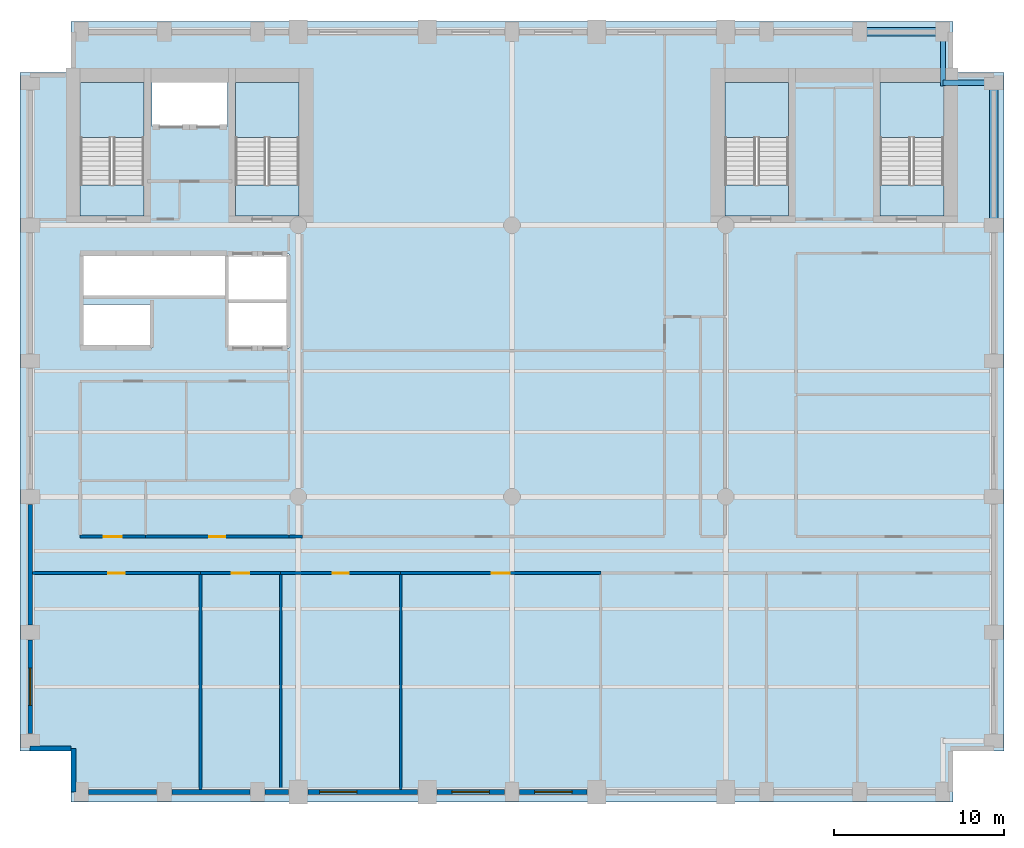
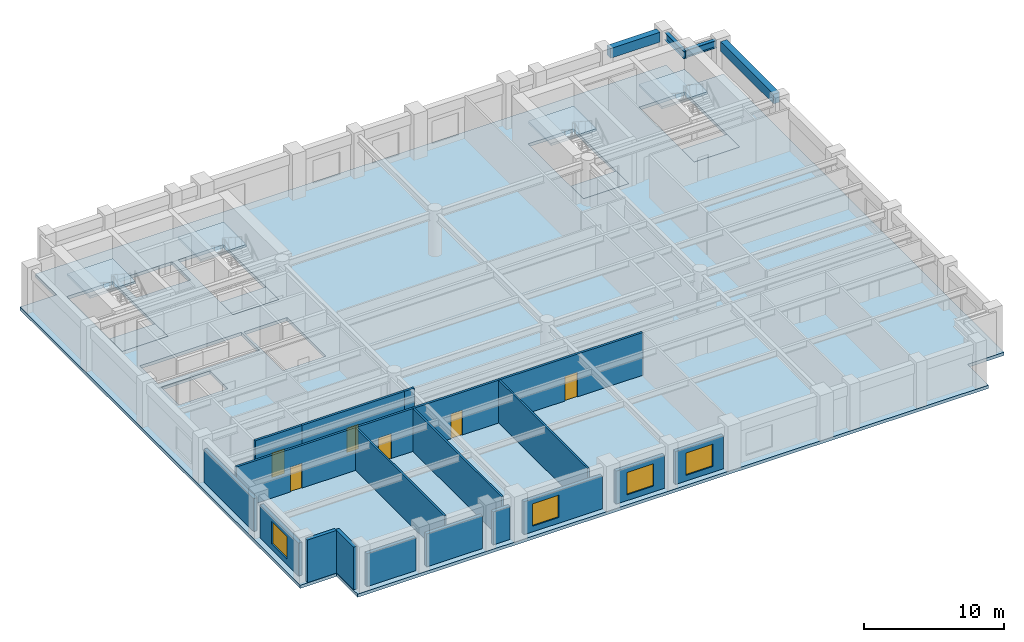
# One storey, part 2 of 8: 20 walls, 9 slabs, 6 doors, 4 beams, 4 windows, 10 openings, 4 elements without a shape of their own.
"""IFC4 building model written with IfcOpenShell, lengths in metres."""

from ifc_helpers import new_model, si_unit, direction, frame, frame_2d, origin, origin_2d, place, context, subcontext, project, spatial, polyline, rectangle, i_section, outline, extrude, material, layer, layer_set, material_profile, profile_set, type_object, element, fill, aggregate, save


model = new_model("IFC4")

# Units and contexts
model_context = context("Model", 3, precision=1e-05, world=origin(), true_north=direction((0.0, 1.0)))
body_context = subcontext(model_context, "Body", "Model", "MODEL_VIEW")
ifc_project = project(units=[si_unit("LENGTHUNIT", "METRE"), si_unit("AREAUNIT", "SQUARE_METRE"), si_unit("VOLUMEUNIT", "CUBIC_METRE"), si_unit("PLANEANGLEUNIT", "RADIAN"), si_unit("MASSUNIT", "GRAM", prefix="KILO")], contexts=[model_context])

# Site, building, storey
site_placement = place(None, origin())
site = spatial("IfcSite", under=ifc_project, at=site_placement, CompositionType="ELEMENT")
building_placement = place(site_placement, origin())
building = spatial("IfcBuilding", under=site, at=building_placement, Name="Sulina Concourse Tower", CompositionType="ELEMENT")
storey_placement = place(building_placement, frame((0.0, 0.0, 124.60009765625)))
storey = spatial("IfcBuildingStorey", under=building, at=storey_placement, Name="L30", CompositionType="ELEMENT", Elevation=124.60009765625)

# Beams
ifc_material_1 = material(Name="Steel S355", Category="steel")
ifc_material_profile_1 = material_profile(ifc_material_1, i_section(OverallWidth=0.300048828125, OverallDepth=0.64990234375, WebThickness=0.01611328125, FlangeThickness=0.031005859375, at=origin_2d()), Name="HE 650 B")
ifc_profile_set_1 = profile_set([ifc_material_profile_1], Name="Steel S355")
beam_type_1 = type_object("IfcBeamType", Name="Floor Primary Girder Zone 2 HE650B", PredefinedType="BEAM", material=ifc_profile_set_1)
beam_1_placement = place(storey_placement, frame((54.39990234375, 42.39990234375, 3.39990234375), z_axis=(1.0, 0.0, 0.0), x_axis=(0.0, 1.0, 0.0)))
element("IfcBeam", 1, at=beam_1_placement, inside=storey, type_object=beam_type_1, Name="TIE-NE-L30", PredefinedType="BEAM", context=body_context, shape_type="SweptSolid", body=[
    extrude(i_section(OverallWidth=0.300048828125, OverallDepth=0.64990234375, WebThickness=0.01611328125, FlangeThickness=0.031005859375, at=origin_2d()), origin(), (0.0, 0.0, 1.0), 2.59521484375),
])
beam_2_placement = place(storey_placement, frame((54.39990234375, 42.199951171875, 3.39990234375), z_axis=(0.0, 1.0, 0.0), x_axis=(-1.0, 0.0, 0.0)))
element("IfcBeam", 2, at=beam_2_placement, inside=storey, type_object=beam_type_1, Name="TIE-NEN-L30", PredefinedType="BEAM", context=body_context, shape_type="SweptSolid", body=[
    extrude(i_section(OverallWidth=0.300048828125, OverallDepth=0.64990234375, WebThickness=0.01611328125, FlangeThickness=0.031005859375, at=origin_2d()), origin(), (0.0, 0.0, 1.0), 2.795166015625),
])
ifc_material_2 = material(Name="Precast concrete C50/60", Category="concrete")
ifc_material_profile_2 = material_profile(ifc_material_2, rectangle(XDim=0.5, YDim=0.85009765625, at=origin_2d()), Name="RC 500x850")
ifc_profile_set_2 = profile_set([ifc_material_profile_2], Name="Precast concrete C50/60")
beam_type_2 = type_object("IfcBeamType", Name="Lower Precast Spandrel Edge Beam 500x850", PredefinedType="BEAM", material=ifc_profile_set_2)
beam_3_placement = place(storey_placement, frame((49.905029296875, 45.39990234375, 3.2998046875), z_axis=(1.0, 0.0, 0.0), x_axis=(0.0, 1.0, 0.0)))
element("IfcBeam", 3, at=beam_3_placement, inside=storey, type_object=beam_type_2, Name="SP-N10-L30", PredefinedType="BEAM", context=body_context, shape_type="SweptSolid", body=[
    extrude(rectangle(XDim=0.5, YDim=0.85009765625, at=origin_2d()), origin(), (0.0, 0.0, 1.0), 4.090087890625),
])
beam_4_placement = place(storey_placement, frame((57.39990234375, 34.405029296875, 3.2998046875), z_axis=(0.0, 1.0, 0.0), x_axis=(-1.0, 0.0, 0.0)))
element("IfcBeam", 4, at=beam_4_placement, inside=storey, type_object=beam_type_2, Name="SP-E5-L30", PredefinedType="BEAM", context=body_context, shape_type="SweptSolid", body=[
    extrude(rectangle(XDim=0.5, YDim=0.85009765625, at=origin_2d()), origin(), (0.0, 0.0, 1.0), 7.590087890625),
])

# Slabs
ifc_material_3 = material(Name="Concrete C50/60", Category="concrete")
ifc_layer_1 = layer(ifc_material_3, 0.27490234375)
ifc_layer_set_1 = layer_set([ifc_layer_1], Name="Concrete C50/60")
slab_type_1 = type_object("IfcSlabType", Name="Mid-Rise Composite Floor Slab 275mm", PredefinedType="FLOOR", material=ifc_layer_set_1)
slab_1_placement = place(storey_placement, frame((0.0, 0.0, -0.275146484375)))
element("IfcSlab", 5, at=slab_1_placement, inside=storey, type_object=slab_type_1, Name="L30 structural floor slab", PredefinedType="FLOOR", context=body_context, shape_type="SweptSolid", body=[
    extrude(outline(polyline([(3.0, 0.0), (55.0, 0.0), (55.0, 3.0), (58.0, 3.0), (58.0, 43.0), (55.0, 43.0), (55.0, 46.0), (3.0, 46.0), (3.0, 43.0), (0.0, 43.0), (0.0, 3.0), (3.0, 3.0), (3.0, 0.0)]), holes=[polyline([(7.31005859375, 34.550048828125), (7.31005859375, 42.429931640625), (3.550048828125, 42.429931640625), (3.550048828125, 34.550048828125), (7.31005859375, 34.550048828125)]), polyline([(16.449951171875, 34.550048828125), (16.449951171875, 42.429931640625), (12.68994140625, 42.429931640625), (12.68994140625, 34.550048828125), (16.449951171875, 34.550048828125)]), polyline([(45.31005859375, 34.550048828125), (45.31005859375, 42.429931640625), (41.550048828125, 42.429931640625), (41.550048828125, 34.550048828125), (45.31005859375, 34.550048828125)]), polyline([(54.449951171875, 34.550048828125), (54.449951171875, 42.429931640625), (50.68994140625, 42.429931640625), (50.68994140625, 34.550048828125), (54.449951171875, 34.550048828125)]), polyline([(7.780029296875, 39.830078125), (12.219970703125, 39.830078125), (12.219970703125, 42.449951171875), (7.780029296875, 42.449951171875), (7.780029296875, 39.830078125)]), polyline([(3.739990234375, 26.780029296875), (7.77001953125, 26.780029296875), (7.77001953125, 29.320068359375), (3.739990234375, 29.320068359375), (3.739990234375, 26.780029296875)]), polyline([(3.739990234375, 29.780029296875), (12.10009765625, 29.780029296875), (12.10009765625, 32.3701171875), (3.739990234375, 32.3701171875), (3.739990234375, 29.780029296875)]), polyline([(12.280029296875, 26.780029296875), (15.85009765625, 26.780029296875), (15.85009765625, 32.320068359375), (12.280029296875, 32.320068359375), (12.280029296875, 26.780029296875)])]), origin(), (0.0, 0.0, 1.0), 0.275146484375),
])
ifc_material_4 = material(Name="Concrete C50/60", Category="concrete")
ifc_layer_2 = layer(ifc_material_4, 0.199951171875)
ifc_layer_set_2 = layer_set([ifc_layer_2], Name="Concrete C50/60")
slab_type_2 = type_object("IfcSlabType", Name="Primary Core Stair Landing Slab 200mm", PredefinedType="LANDING", material=ifc_layer_set_2)
slab_2_placement = place(storey_placement, frame((0.0, 0.0, -0.2001953125)))
element("IfcSlab", 6, at=slab_2_placement, inside=storey, type_object=slab_type_2, Name="L30 ST-1 floor landing slab", PredefinedType="LANDING", context=body_context, shape_type="SweptSolid", body=[
    extrude(outline(polyline([(7.31005859375, 34.550048828125), (7.31005859375, 36.375), (3.550048828125, 36.375), (3.550048828125, 34.550048828125), (7.31005859375, 34.550048828125)])), origin(), (0.0, 0.0, 1.0), 0.2001953125),
])
slab_3_placement = place(storey_placement, frame((0.0, 0.0, -0.2001953125)))
element("IfcSlab", 7, at=slab_3_placement, inside=storey, type_object=slab_type_2, Name="L30 ST-2 floor landing slab", PredefinedType="LANDING", context=body_context, shape_type="SweptSolid", body=[
    extrude(outline(polyline([(16.449951171875, 34.550048828125), (16.449951171875, 36.375), (12.68994140625, 36.375), (12.68994140625, 34.550048828125), (16.449951171875, 34.550048828125)])), origin(), (0.0, 0.0, 1.0), 0.2001953125),
])
slab_4_placement = place(storey_placement, frame((0.0, 0.0, -0.2001953125)))
element("IfcSlab", 8, at=slab_4_placement, inside=storey, type_object=slab_type_2, Name="L30 ST-3 floor landing slab", PredefinedType="LANDING", context=body_context, shape_type="SweptSolid", body=[
    extrude(outline(polyline([(45.31005859375, 34.550048828125), (45.31005859375, 36.375), (41.550048828125, 36.375), (41.550048828125, 34.550048828125), (45.31005859375, 34.550048828125)])), origin(), (0.0, 0.0, 1.0), 0.2001953125),
])
slab_5_placement = place(storey_placement, frame((0.0, 0.0, -0.2001953125)))
element("IfcSlab", 9, at=slab_5_placement, inside=storey, type_object=slab_type_2, Name="L30 ST-4 floor landing slab", PredefinedType="LANDING", context=body_context, shape_type="SweptSolid", body=[
    extrude(outline(polyline([(54.449951171875, 34.550048828125), (54.449951171875, 36.375), (50.68994140625, 36.375), (50.68994140625, 34.550048828125), (54.449951171875, 34.550048828125)])), origin(), (0.0, 0.0, 1.0), 0.2001953125),
])

# Stair, slab
ifc_material_5 = material(Name="Concrete C50/60", Category="concrete")
stair_type_1 = type_object("IfcStairType", Name="Primary Core Dog-Leg Exit Stair 1800mm", PredefinedType="HALF_TURN_STAIR", material=ifc_material_5)
stair_1_placement = place(storey_placement, origin())
stair_1 = element("IfcStair", 10, at=stair_1_placement, inside=storey, type_object=stair_type_1, Name="L30 ST-1", PredefinedType="HALF_TURN_STAIR")
slab_6_placement = place(storey_placement, frame((0.0, 0.0, 1.7998046875)))
slab_6 = element("IfcSlab", 11, at=slab_6_placement, type_object=slab_type_2, Name="ST-1 landing 1", PredefinedType="LANDING", context=body_context, shape_type="SweptSolid", body=[
    extrude(outline(polyline([(7.304931640625, 39.175048828125), (7.304931640625, 42.425048828125), (3.554931640625, 42.425048828125), (3.554931640625, 39.175048828125), (7.304931640625, 39.175048828125)])), origin(), (0.0, 0.0, 1.0), 0.2001953125),
])
aggregate(stair_1, [slab_6])

stair_2_placement = place(storey_placement, origin())
stair_2 = element("IfcStair", 12, at=stair_2_placement, inside=storey, type_object=stair_type_1, Name="L30 ST-2", PredefinedType="HALF_TURN_STAIR")
slab_7_placement = place(storey_placement, frame((0.0, 0.0, 1.7998046875)))
slab_7 = element("IfcSlab", 13, at=slab_7_placement, type_object=slab_type_2, Name="ST-2 landing 1", PredefinedType="LANDING", context=body_context, shape_type="SweptSolid", body=[
    extrude(outline(polyline([(16.445068359375, 39.175048828125), (16.445068359375, 42.425048828125), (12.695068359375, 42.425048828125), (12.695068359375, 39.175048828125), (16.445068359375, 39.175048828125)])), origin(), (0.0, 0.0, 1.0), 0.2001953125),
])
aggregate(stair_2, [slab_7])

ifc_material_6 = material(Name="Concrete C50/60", Category="concrete")
stair_type_2 = type_object("IfcStairType", Name="Portal & Podium Core Exit Stair 1820mm", PredefinedType="HALF_TURN_STAIR", material=ifc_material_6)
stair_3_placement = place(storey_placement, origin())
stair_3 = element("IfcStair", 14, at=stair_3_placement, inside=storey, type_object=stair_type_2, Name="L30 ST-3", PredefinedType="HALF_TURN_STAIR")
slab_8_placement = place(storey_placement, frame((0.0, 0.0, 1.7998046875)))
slab_8 = element("IfcSlab", 15, at=slab_8_placement, type_object=slab_type_2, Name="ST-3 landing 1", PredefinedType="LANDING", context=body_context, shape_type="SweptSolid", body=[
    extrude(outline(polyline([(45.304931640625, 39.175048828125), (45.304931640625, 42.425048828125), (41.554931640625, 42.425048828125), (41.554931640625, 39.175048828125), (45.304931640625, 39.175048828125)])), origin(), (0.0, 0.0, 1.0), 0.2001953125),
])
aggregate(stair_3, [slab_8])

stair_4_placement = place(storey_placement, origin())
stair_4 = element("IfcStair", 16, at=stair_4_placement, inside=storey, type_object=stair_type_2, Name="L30 ST-4", PredefinedType="HALF_TURN_STAIR")
slab_9_placement = place(storey_placement, frame((0.0, 0.0, 1.7998046875)))
slab_9 = element("IfcSlab", 17, at=slab_9_placement, type_object=slab_type_2, Name="ST-4 landing 1", PredefinedType="LANDING", context=body_context, shape_type="SweptSolid", body=[
    extrude(outline(polyline([(54.445068359375, 39.175048828125), (54.445068359375, 42.425048828125), (50.695068359375, 42.425048828125), (50.695068359375, 39.175048828125), (54.445068359375, 39.175048828125)])), origin(), (0.0, 0.0, 1.0), 0.2001953125),
])
aggregate(stair_4, [slab_9])

# Walls
ifc_material_7 = material(Name="Gypsum board on steel stud", Category="steel")
ifc_layer_3 = layer(ifc_material_7, 0.14990234375)
ifc_layer_set_3 = layer_set([ifc_layer_3], Name="Gypsum board on steel stud")
wall_type_1 = type_object("IfcWallType", Name="Inter-Tenancy Acoustic Partition 150mm", PredefinedType="PARTITIONING", material=ifc_layer_set_3)
for number, where, z_axis, x_axis, name in (
    (18, (10.639892578125, 0.739990234375, 0.0), (0.0, 0.0, 1.0), (0.0, 1.0, 0.0), "L30 interior partition 034"),
    (19, (15.360107421875, 0.739990234375, 0.0), (0.0, 0.0, 1.0), (0.0, 1.0, 0.0), "L30 interior partition 035"),
    (20, (22.43994140625, 0.739990234375, 0.0), (0.0, 0.0, 1.0), (0.0, 1.0, 0.0), "L30 interior partition 043"),
):
    element("IfcWall", number, at=place(storey_placement, frame(where, z_axis=z_axis, x_axis=x_axis)), inside=storey, type_object=wall_type_1, Name=name, PredefinedType="PARTITIONING", context=body_context, shape_type="SweptSolid", body=[
        extrude(rectangle(XDim=12.669921875, YDim=0.14990234375, at=frame_2d((6.3349609375, 0.0))), origin(), (0.0, 0.0, 1.0), 3.724853515625),
    ])

# Wall, opening, door
ifc_material_8 = material(Name="Gypsum board on steel stud", Category="steel")
ifc_layer_4 = layer(ifc_material_8, 0.179931640625)
ifc_layer_set_4 = layer_set([ifc_layer_4], Name="Gypsum board on steel stud")
wall_type_2 = type_object("IfcWallType", Name="Protected Corridor & Riser Partition 180mm", PredefinedType="PARTITIONING", material=ifc_layer_set_4)
wall_1_placement = place(storey_placement, frame((0.739990234375, 13.5, 0.0), z_axis=(0.0, 0.0, 1.0), x_axis=(1.0, 0.0, 0.0)))
wall_1 = element("IfcWall", 21, at=wall_1_placement, inside=storey, type_object=wall_type_2, Name="L30 interior partition 001", PredefinedType="PARTITIONING", context=body_context, shape_type="SweptSolid", body=[
    extrude(rectangle(XDim=9.89990234375, YDim=0.179931640625, at=frame_2d((4.949951171875, 0.0))), origin(), (0.0, 0.0, 1.0), 3.724853515625),
])
opening_1_placement = place(wall_1_placement, frame((4.47509765625, 0.0, 0.0)))
opening_1 = element("IfcOpeningElement", 22, at=opening_1_placement, cuts=wall_1, Name="Opening DR-19", PredefinedType="OPENING", context=body_context, shape_type="SweptSolid", body=[
    extrude(rectangle(XDim=0.949951171875, YDim=2.14990234375, at=frame_2d((0.47509765625, 1.074951171875))), frame((0.0, 0.099853515625, 0.0), z_axis=(0.0, -1.0, 0.0), x_axis=(1.0, 0.0, 0.0)), (0.0, 0.0, 1.0), 0.199951171875),
])
ifc_material_9 = material(Name="Oak-veneered acoustic timber leaf", Category="wood")
ifc_layer_5 = layer(ifc_material_9, 0.050048828125)
ifc_layer_set_5 = layer_set([ifc_layer_5], Name="Oak-veneered acoustic timber leaf")
door_type_1 = type_object("IfcDoorType", Name="Cellular Office & Meeting Door 950x2150", OperationType="NOTDEFINED", PredefinedType="DOOR", material=ifc_layer_set_5)
door_1_placement = place(opening_1_placement, origin())
door_1 = element("IfcDoor", 23, at=door_1_placement, inside=storey, type_object=door_type_1, Name="L30 interior door L30-S01", OperationType="SINGLE_SWING_RIGHT", OverallHeight=2.14990234375, OverallWidth=0.949951171875, PredefinedType="DOOR", context=body_context, shape_type="SweptSolid", body=[
    extrude(rectangle(XDim=0.949951171875, YDim=2.14990234375, at=frame_2d((0.47509765625, 1.074951171875))), frame((0.0, 0.02490234375, 0.0), z_axis=(0.0, -1.0, 0.0), x_axis=(1.0, 0.0, 0.0)), (0.0, 0.0, 1.0), 0.050048828125),
])
fill(opening_1, door_1)

wall_2_placement = place(storey_placement, frame((10.639892578125, 13.5, 0.0), z_axis=(0.0, 0.0, 1.0), x_axis=(1.0, 0.0, 0.0)))
wall_2 = element("IfcWall", 24, at=wall_2_placement, inside=storey, type_object=wall_type_2, Name="L30 interior partition 002", PredefinedType="PARTITIONING", context=body_context, shape_type="SweptSolid", body=[
    extrude(rectangle(XDim=4.72021484375, YDim=0.179931640625, at=frame_2d((2.360107421875, 0.0))), origin(), (0.0, 0.0, 1.0), 3.724853515625),
])
opening_2_placement = place(wall_2_placement, frame((1.8349609375, 0.0, 0.0)))
opening_2 = element("IfcOpeningElement", 25, at=opening_2_placement, cuts=wall_2, Name="Opening DR-37", PredefinedType="OPENING", context=body_context, shape_type="SweptSolid", body=[
    extrude(rectangle(XDim=1.050048828125, YDim=2.14990234375, at=frame_2d((0.52490234375, 1.074951171875))), frame((0.0, 0.099853515625, 0.0), z_axis=(0.0, -1.0, 0.0), x_axis=(1.0, 0.0, 0.0)), (0.0, 0.0, 1.0), 0.199951171875),
])
ifc_material_10 = material(Name="Oak-veneered fire door leaf")
ifc_layer_6 = layer(ifc_material_10, 0.050048828125)
ifc_layer_set_6 = layer_set([ifc_layer_6], Name="Oak-veneered fire door leaf")
door_type_2 = type_object("IfcDoorType", Name="Tenant Suite Entrance Fire Door 1050x2150", OperationType="NOTDEFINED", PredefinedType="DOOR", material=ifc_layer_set_6)
door_2_placement = place(opening_2_placement, origin())
door_2 = element("IfcDoor", 26, at=door_2_placement, inside=storey, type_object=door_type_2, Name="L30 interior door L30-S02A", OperationType="SINGLE_SWING_LEFT", OverallHeight=2.14990234375, OverallWidth=1.050048828125, PredefinedType="DOOR", context=body_context, shape_type="SweptSolid", body=[
    extrude(rectangle(XDim=1.050048828125, YDim=2.14990234375, at=frame_2d((0.52490234375, 1.074951171875))), frame((0.0, 0.02490234375, 0.0), z_axis=(0.0, -1.0, 0.0), x_axis=(1.0, 0.0, 0.0)), (0.0, 0.0, 1.0), 0.050048828125),
])
fill(opening_2, door_2)

wall_3_placement = place(storey_placement, frame((15.360107421875, 13.5, 0.0), z_axis=(0.0, 0.0, 1.0), x_axis=(1.0, 0.0, 0.0)))
wall_3 = element("IfcWall", 27, at=wall_3_placement, inside=storey, type_object=wall_type_2, Name="L30 interior partition 003", PredefinedType="PARTITIONING", context=body_context, shape_type="SweptSolid", body=[
    extrude(rectangle(XDim=7.079833984375, YDim=0.179931640625, at=frame_2d((3.5400390625, 0.0))), origin(), (0.0, 0.0, 1.0), 3.724853515625),
])
opening_3_placement = place(wall_3_placement, frame((3.06494140625, 0.0, 0.0)))
opening_3 = element("IfcOpeningElement", 28, at=opening_3_placement, cuts=wall_3, Name="Opening DR-19", PredefinedType="OPENING", context=body_context, shape_type="SweptSolid", body=[
    extrude(rectangle(XDim=0.949951171875, YDim=2.14990234375, at=frame_2d((0.47509765625, 1.074951171875))), frame((0.0, 0.099853515625, 0.0), z_axis=(0.0, -1.0, 0.0), x_axis=(1.0, 0.0, 0.0)), (0.0, 0.0, 1.0), 0.199951171875),
])
door_3_placement = place(opening_3_placement, origin())
door_3 = element("IfcDoor", 29, at=door_3_placement, inside=storey, type_object=door_type_1, Name="L30 interior door L30-S02B", OperationType="SINGLE_SWING_RIGHT", OverallHeight=2.14990234375, OverallWidth=0.949951171875, PredefinedType="DOOR", context=body_context, shape_type="SweptSolid", body=[
    extrude(rectangle(XDim=0.949951171875, YDim=2.14990234375, at=frame_2d((0.47509765625, 1.074951171875))), frame((0.0, 0.02490234375, 0.0), z_axis=(0.0, -1.0, 0.0), x_axis=(1.0, 0.0, 0.0)), (0.0, 0.0, 1.0), 0.050048828125),
])
fill(opening_3, door_3)

wall_4_placement = place(storey_placement, frame((22.43994140625, 13.5, 0.0), z_axis=(0.0, 0.0, 1.0), x_axis=(1.0, 0.0, 0.0)))
wall_4 = element("IfcWall", 30, at=wall_4_placement, inside=storey, type_object=wall_type_2, Name="L30 interior partition 004", PredefinedType="PARTITIONING", context=body_context, shape_type="SweptSolid", body=[
    extrude(rectangle(XDim=11.800048828125, YDim=0.179931640625, at=frame_2d((5.89990234375, 0.0))), origin(), (0.0, 0.0, 1.0), 3.724853515625),
])
opening_4_placement = place(wall_4_placement, frame((5.375, 0.0, 0.0)))
opening_4 = element("IfcOpeningElement", 31, at=opening_4_placement, cuts=wall_4, Name="Opening DR-37", PredefinedType="OPENING", context=body_context, shape_type="SweptSolid", body=[
    extrude(rectangle(XDim=1.050048828125, YDim=2.14990234375, at=frame_2d((0.52490234375, 1.074951171875))), frame((0.0, 0.099853515625, 0.0), z_axis=(0.0, -1.0, 0.0), x_axis=(1.0, 0.0, 0.0)), (0.0, 0.0, 1.0), 0.199951171875),
])
door_4_placement = place(opening_4_placement, origin())
door_4 = element("IfcDoor", 32, at=door_4_placement, inside=storey, type_object=door_type_2, Name="L30 interior door L30-S03", OperationType="SINGLE_SWING_LEFT", OverallHeight=2.14990234375, OverallWidth=1.050048828125, PredefinedType="DOOR", context=body_context, shape_type="SweptSolid", body=[
    extrude(rectangle(XDim=1.050048828125, YDim=2.14990234375, at=frame_2d((0.52490234375, 1.074951171875))), frame((0.0, 0.02490234375, 0.0), z_axis=(0.0, -1.0, 0.0), x_axis=(1.0, 0.0, 0.0)), (0.0, 0.0, 1.0), 0.050048828125),
])
fill(opening_4, door_4)

wall_5_placement = place(storey_placement, frame((3.550048828125, 15.64990234375, 0.0), z_axis=(0.0, 0.0, 1.0), x_axis=(1.0, 0.0, 0.0)))
wall_5 = element("IfcWall", 33, at=wall_5_placement, inside=storey, type_object=wall_type_2, Name="L30 interior partition 008", PredefinedType="PARTITIONING", context=body_context, shape_type="SweptSolid", body=[
    extrude(rectangle(XDim=3.849853515625, YDim=0.179931640625, at=frame_2d((1.9248046875, 0.0))), origin(), (0.0, 0.0, 1.0), 3.724853515625),
])
opening_5_placement = place(wall_5_placement, frame((1.39990234375, 0.0, 0.0)))
opening_5 = element("IfcOpeningElement", 34, at=opening_5_placement, cuts=wall_5, Name="Opening DR-37", PredefinedType="OPENING", context=body_context, shape_type="SweptSolid", body=[
    extrude(rectangle(XDim=1.050048828125, YDim=2.14990234375, at=frame_2d((0.52490234375, 1.074951171875))), frame((0.0, 0.099853515625, 0.0), z_axis=(0.0, -1.0, 0.0), x_axis=(1.0, 0.0, 0.0)), (0.0, 0.0, 1.0), 0.199951171875),
])
door_5_placement = place(opening_5_placement, origin())
door_5 = element("IfcDoor", 35, at=door_5_placement, inside=storey, type_object=door_type_2, Name="L30 interior door L30-WSB-1", OperationType="SINGLE_SWING_LEFT", OverallHeight=2.14990234375, OverallWidth=1.050048828125, PredefinedType="DOOR", context=body_context, shape_type="SweptSolid", body=[
    extrude(rectangle(XDim=1.050048828125, YDim=2.14990234375, at=frame_2d((0.52490234375, 1.074951171875))), frame((0.0, 0.02490234375, 0.0), z_axis=(0.0, -1.0, 0.0), x_axis=(1.0, 0.0, 0.0)), (0.0, 0.0, 1.0), 0.050048828125),
])
fill(opening_5, door_5)

wall_6_placement = place(storey_placement, frame((7.39990234375, 15.64990234375, 0.0), z_axis=(0.0, 0.0, 1.0), x_axis=(1.0, 0.0, 0.0)))
wall_6 = element("IfcWall", 36, at=wall_6_placement, inside=storey, type_object=wall_type_2, Name="L30 interior partition 009", PredefinedType="PARTITIONING", context=body_context, shape_type="SweptSolid", body=[
    extrude(rectangle(XDim=8.4501953125, YDim=0.179931640625, at=frame_2d((4.22509765625, 0.0))), origin(), (0.0, 0.0, 1.0), 3.724853515625),
])
opening_6_placement = place(wall_6_placement, frame((3.75, 0.0, 0.0)))
opening_6 = element("IfcOpeningElement", 37, at=opening_6_placement, cuts=wall_6, Name="Opening DR-19", PredefinedType="OPENING", context=body_context, shape_type="SweptSolid", body=[
    extrude(rectangle(XDim=0.949951171875, YDim=2.14990234375, at=frame_2d((0.47509765625, 1.074951171875))), frame((0.0, 0.099853515625, 0.0), z_axis=(0.0, -1.0, 0.0), x_axis=(1.0, 0.0, 0.0)), (0.0, 0.0, 1.0), 0.199951171875),
])
door_6_placement = place(opening_6_placement, origin())
door_6 = element("IfcDoor", 38, at=door_6_placement, inside=storey, type_object=door_type_1, Name="L30 interior door L30-WSB-2", OperationType="SINGLE_SWING_RIGHT", OverallHeight=2.14990234375, OverallWidth=0.949951171875, PredefinedType="DOOR", context=body_context, shape_type="SweptSolid", body=[
    extrude(rectangle(XDim=0.949951171875, YDim=2.14990234375, at=frame_2d((0.47509765625, 1.074951171875))), frame((0.0, 0.02490234375, 0.0), z_axis=(0.0, -1.0, 0.0), x_axis=(1.0, 0.0, 0.0)), (0.0, 0.0, 1.0), 0.050048828125),
])
fill(opening_6, door_6)

# Walls
wall_7_placement = place(storey_placement, frame((15.85009765625, 15.64990234375, 0.0), z_axis=(0.0, 0.0, 1.0), x_axis=(1.0, 0.0, 0.0)))
element("IfcWall", 39, at=wall_7_placement, inside=storey, type_object=wall_type_2, Name="L30 interior partition 010", PredefinedType="PARTITIONING", context=body_context, shape_type="SweptSolid", body=[
    extrude(rectangle(XDim=0.7998046875, YDim=0.179931640625, at=frame_2d((0.39990234375, 0.0))), origin(), (0.0, 0.0, 1.0), 3.724853515625),
])
ifc_material_11 = material(Name="Precast concrete C50/60", Category="concrete")
ifc_layer_7 = layer(ifc_material_11, 0.280029296875)
ifc_layer_set_7 = layer_set([ifc_layer_7], Name="Precast concrete C50/60")
wall_type_3 = type_object("IfcWallType", Name="Typical Precast Masonry-Frame Facade Wall 280mm", PredefinedType="SOLIDWALL", material=ifc_layer_set_7)
wall_8_placement = place(storey_placement, frame((8.054931640625, 0.60009765625, 0.0), z_axis=(0.0, 0.0, 1.0), x_axis=(-1.0, 0.0, 0.0)))
element("IfcWall", 40, at=wall_8_placement, inside=storey, type_object=wall_type_3, Name="L30 exterior precast wall S1", PredefinedType="SOLIDWALL", context=body_context, shape_type="SweptSolid", body=[
    extrude(rectangle(XDim=4.010009765625, YDim=0.280029296875, at=frame_2d((2.0048828125, 0.0))), origin(), (0.0, 0.0, 1.0), 2.875),
])
wall_9_placement = place(storey_placement, frame((13.554931640625, 0.60009765625, 0.0), z_axis=(0.0, 0.0, 1.0), x_axis=(-1.0, 0.0, 0.0)))
element("IfcWall", 41, at=wall_9_placement, inside=storey, type_object=wall_type_3, Name="L30 exterior precast wall S2", PredefinedType="SOLIDWALL", context=body_context, shape_type="SweptSolid", body=[
    extrude(rectangle(XDim=4.60986328125, YDim=0.280029296875, at=frame_2d((2.304931640625, 0.0))), origin(), (0.0, 0.0, 1.0), 2.875),
])
wall_10_placement = place(storey_placement, frame((15.830078125, 0.60009765625, 0.0), z_axis=(0.0, 0.0, 1.0), x_axis=(-1.0, 0.0, 0.0)))
element("IfcWall", 42, at=wall_10_placement, inside=storey, type_object=wall_type_3, Name="L30 exterior precast wall S3", PredefinedType="SOLIDWALL", context=body_context, shape_type="SweptSolid", body=[
    extrude(rectangle(XDim=1.385009765625, YDim=0.280029296875, at=frame_2d((0.6923828125, 0.0))), origin(), (0.0, 0.0, 1.0), 2.875),
])

# Wall, opening, window
wall_11_placement = place(storey_placement, frame((23.429931640625, 0.60009765625, 0.0), z_axis=(0.0, 0.0, 1.0), x_axis=(-1.0, 0.0, 0.0)))
wall_11 = element("IfcWall", 43, at=wall_11_placement, inside=storey, type_object=wall_type_3, Name="L30 exterior precast wall S4", PredefinedType="SOLIDWALL", context=body_context, shape_type="SweptSolid", body=[
    extrude(rectangle(XDim=6.4599609375, YDim=0.280029296875, at=frame_2d((3.22998046875, 0.0))), origin(), (0.0, 0.0, 1.0), 2.875),
])
opening_7_placement = place(wall_11_placement, frame((3.5732421875, 0.0, 0.5)))
opening_7 = element("IfcOpeningElement", 44, at=opening_7_placement, cuts=wall_11, Name="Opening WN-76", PredefinedType="OPENING", context=body_context, shape_type="SweptSolid", body=[
    extrude(rectangle(XDim=2.199951171875, YDim=1.949951171875, at=frame_2d((1.10009765625, 0.97509765625))), frame((0.0, 0.14990234375, 0.0), z_axis=(0.0, -1.0, 0.0), x_axis=(1.0, 0.0, 0.0)), (0.0, 0.0, 1.0), 0.300048828125),
])
ifc_material_12 = material(Name="Low-E solar double glazing in bronze aluminium", Category="aluminium")
window_type = type_object("IfcWindowType", Name="Recessed Spandrel Window 2200x1950", PartitioningType="DOUBLE_PANEL_VERTICAL", PredefinedType="WINDOW", material=ifc_material_12)
window_1_placement = place(opening_7_placement, origin())
window_1 = element("IfcWindow", 45, at=window_1_placement, inside=storey, type_object=window_type, Name="L30 punched window S4-1", OverallHeight=1.949951171875, OverallWidth=2.199951171875, PartitioningType="SINGLE_PANEL", PredefinedType="WINDOW", context=body_context, shape_type="SweptSolid", body=[
    extrude(rectangle(XDim=2.199951171875, YDim=1.949951171875, at=frame_2d((1.10009765625, 0.97509765625))), frame((0.0, 0.030029296875, 0.0), z_axis=(0.0, -1.0, 0.0), x_axis=(1.0, 0.0, 0.0)), (0.0, 0.0, 1.0), 0.06005859375),
])
fill(opening_7, window_1)

wall_12_placement = place(storey_placement, frame((28.554931640625, 0.60009765625, 0.0), z_axis=(0.0, 0.0, 1.0), x_axis=(-1.0, 0.0, 0.0)))
wall_12 = element("IfcWall", 46, at=wall_12_placement, inside=storey, type_object=wall_type_3, Name="L30 exterior precast wall S5", PredefinedType="SOLIDWALL", context=body_context, shape_type="SweptSolid", body=[
    extrude(rectangle(XDim=3.98486328125, YDim=0.280029296875, at=frame_2d((1.992431640625, 0.0))), origin(), (0.0, 0.0, 1.0), 2.875),
])
opening_8_placement = place(wall_12_placement, frame((0.892578125, 0.0, 0.5)))
opening_8 = element("IfcOpeningElement", 47, at=opening_8_placement, cuts=wall_12, Name="Opening WN-76", PredefinedType="OPENING", context=body_context, shape_type="SweptSolid", body=[
    extrude(rectangle(XDim=2.199951171875, YDim=1.949951171875, at=frame_2d((1.10009765625, 0.97509765625))), frame((0.0, 0.14990234375, 0.0), z_axis=(0.0, -1.0, 0.0), x_axis=(1.0, 0.0, 0.0)), (0.0, 0.0, 1.0), 0.300048828125),
])
window_2_placement = place(opening_8_placement, origin())
window_2 = element("IfcWindow", 48, at=window_2_placement, inside=storey, type_object=window_type, Name="L30 punched window S5-1", OverallHeight=1.949951171875, OverallWidth=2.199951171875, PartitioningType="SINGLE_PANEL", PredefinedType="WINDOW", context=body_context, shape_type="SweptSolid", body=[
    extrude(rectangle(XDim=2.199951171875, YDim=1.949951171875, at=frame_2d((1.10009765625, 0.97509765625))), frame((0.0, 0.030029296875, 0.0), z_axis=(0.0, -1.0, 0.0), x_axis=(1.0, 0.0, 0.0)), (0.0, 0.0, 1.0), 0.06005859375),
])
fill(opening_8, window_2)

wall_13_placement = place(storey_placement, frame((33.429931640625, 0.60009765625, 0.0), z_axis=(0.0, 0.0, 1.0), x_axis=(-1.0, 0.0, 0.0)))
wall_13 = element("IfcWall", 49, at=wall_13_placement, inside=storey, type_object=wall_type_3, Name="L30 exterior precast wall S6", PredefinedType="SOLIDWALL", context=body_context, shape_type="SweptSolid", body=[
    extrude(rectangle(XDim=3.98486328125, YDim=0.280029296875, at=frame_2d((1.992431640625, 0.0))), origin(), (0.0, 0.0, 1.0), 2.875),
])
opening_9_placement = place(wall_13_placement, frame((0.892578125, 0.0, 0.5)))
opening_9 = element("IfcOpeningElement", 50, at=opening_9_placement, cuts=wall_13, Name="Opening WN-76", PredefinedType="OPENING", context=body_context, shape_type="SweptSolid", body=[
    extrude(rectangle(XDim=2.199951171875, YDim=1.949951171875, at=frame_2d((1.10009765625, 0.97509765625))), frame((0.0, 0.14990234375, 0.0), z_axis=(0.0, -1.0, 0.0), x_axis=(1.0, 0.0, 0.0)), (0.0, 0.0, 1.0), 0.300048828125),
])
window_3_placement = place(opening_9_placement, origin())
window_3 = element("IfcWindow", 51, at=window_3_placement, inside=storey, type_object=window_type, Name="L30 punched window S6-1", OverallHeight=1.949951171875, OverallWidth=2.199951171875, PartitioningType="SINGLE_PANEL", PredefinedType="WINDOW", context=body_context, shape_type="SweptSolid", body=[
    extrude(rectangle(XDim=2.199951171875, YDim=1.949951171875, at=frame_2d((1.10009765625, 0.97509765625))), frame((0.0, 0.030029296875, 0.0), z_axis=(0.0, -1.0, 0.0), x_axis=(1.0, 0.0, 0.0)), (0.0, 0.0, 1.0), 0.06005859375),
])
fill(opening_9, window_3)

wall_14_placement = place(storey_placement, frame((0.60009765625, 4.044921875, 0.0), z_axis=(0.0, 0.0, 1.0), x_axis=(0.0, 1.0, 0.0)))
wall_14 = element("IfcWall", 52, at=wall_14_placement, inside=storey, type_object=wall_type_3, Name="L30 exterior precast wall W1", PredefinedType="SOLIDWALL", context=body_context, shape_type="SweptSolid", body=[
    extrude(rectangle(XDim=5.510009765625, YDim=0.280029296875, at=frame_2d((2.7548828125, 0.0))), origin(), (0.0, 0.0, 1.0), 2.875),
])
opening_10_placement = place(wall_14_placement, frame((1.655029296875, 0.0, 0.5)))
opening_10 = element("IfcOpeningElement", 53, at=opening_10_placement, cuts=wall_14, Name="Opening WN-76", PredefinedType="OPENING", context=body_context, shape_type="SweptSolid", body=[
    extrude(rectangle(XDim=2.199951171875, YDim=1.949951171875, at=frame_2d((1.10009765625, 0.97509765625))), frame((0.0, 0.14990234375, 0.0), z_axis=(0.0, -1.0, 0.0), x_axis=(1.0, 0.0, 0.0)), (0.0, 0.0, 1.0), 0.300048828125),
])
window_4_placement = place(opening_10_placement, origin())
window_4 = element("IfcWindow", 54, at=window_4_placement, inside=storey, type_object=window_type, Name="L30 punched window W1-1", OverallHeight=1.949951171875, OverallWidth=2.199951171875, PartitioningType="SINGLE_PANEL", PredefinedType="WINDOW", context=body_context, shape_type="SweptSolid", body=[
    extrude(rectangle(XDim=2.199951171875, YDim=1.949951171875, at=frame_2d((1.10009765625, 0.97509765625))), frame((0.0, 0.030029296875, 0.0), z_axis=(0.0, -1.0, 0.0), x_axis=(1.0, 0.0, 0.0)), (0.0, 0.0, 1.0), 0.06005859375),
])
fill(opening_10, window_4)

# Walls
wall_15_placement = place(storey_placement, frame((0.60009765625, 10.445068359375, 0.0), z_axis=(0.0, 0.0, 1.0), x_axis=(0.0, 1.0, 0.0)))
element("IfcWall", 55, at=wall_15_placement, inside=storey, type_object=wall_type_3, Name="L30 exterior precast wall W2", PredefinedType="SOLIDWALL", context=body_context, shape_type="SweptSolid", body=[
    extrude(rectangle(XDim=7.10986328125, YDim=0.280029296875, at=frame_2d((3.554931640625, 0.0))), origin(), (0.0, 0.0, 1.0), 2.875),
])
wall_16_placement = place(storey_placement, frame((3.155029296875, 0.60009765625, 0.0), z_axis=(0.0, 0.0, 1.0), x_axis=(0.0, 1.0, 0.0)))
element("IfcWall", 56, at=wall_16_placement, inside=storey, type_object=wall_type_3, Name="L30 exterior precast wall CSW1", PredefinedType="SOLIDWALL", context=body_context, shape_type="SweptSolid", body=[
    extrude(rectangle(XDim=2.554931640625, YDim=0.280029296875, at=frame_2d((1.27734375, 0.0))), origin(), (0.0, 0.0, 1.0), 3.724853515625),
])
wall_17_placement = place(storey_placement, frame((3.010009765625, 3.155029296875, 0.0), z_axis=(0.0, 0.0, 1.0), x_axis=(-1.0, 0.0, 0.0)))
element("IfcWall", 57, at=wall_17_placement, inside=storey, type_object=wall_type_3, Name="L30 exterior precast wall CSW2", PredefinedType="SOLIDWALL", context=body_context, shape_type="SweptSolid", body=[
    extrude(rectangle(XDim=2.409912109375, YDim=0.280029296875, at=frame_2d((1.205078125, 0.0))), origin(), (0.0, 0.0, 1.0), 3.724853515625),
])

save(model, "model.ifc")
